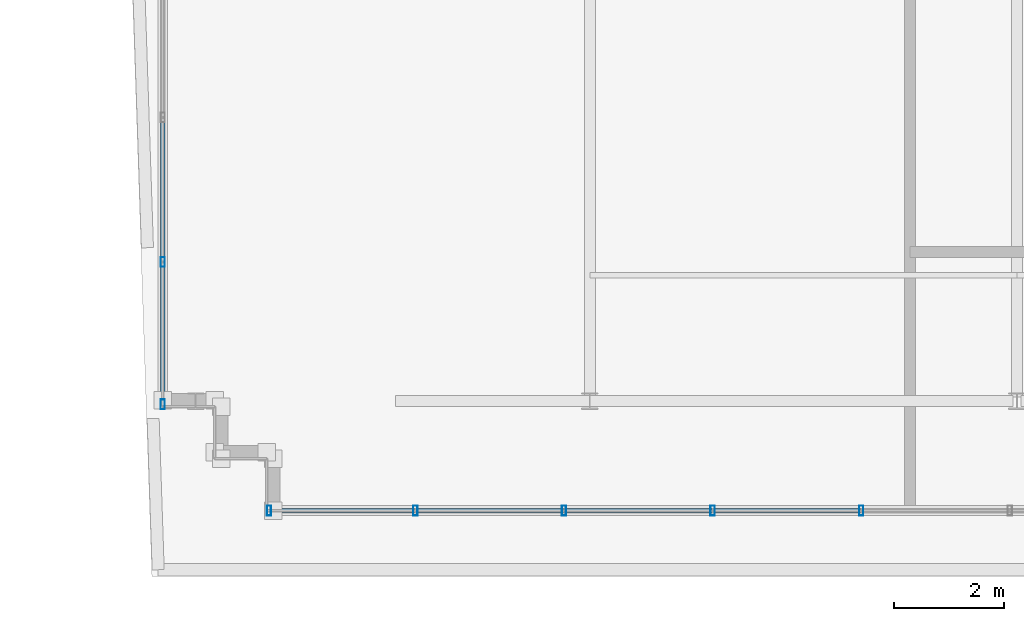
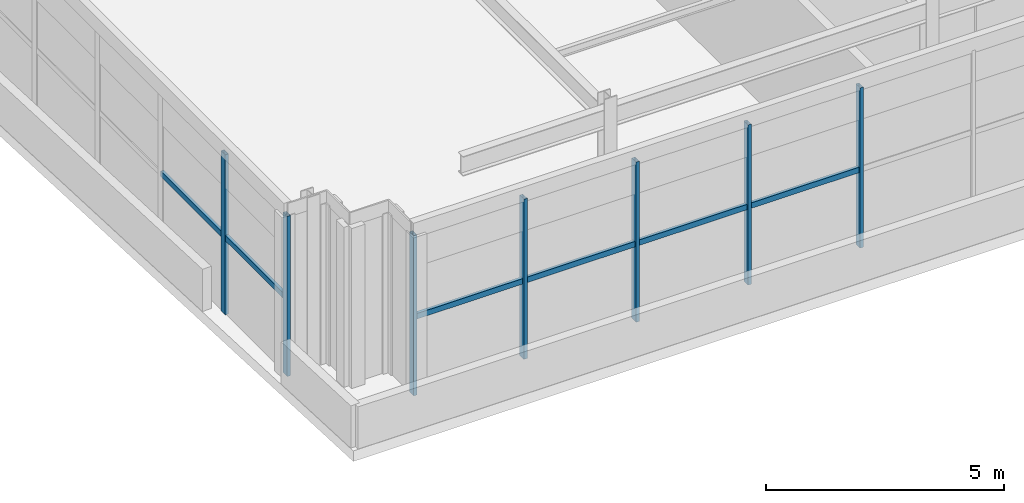
# One storey, part 13 of 31: 13 members, 2 elements without a shape of their own.
"""IFC4 building model written with IfcOpenShell, lengths in metres."""

from ifc_helpers import new_model, si_unit, direction, frame, origin, origin_2d, place, context, subcontext, project, spatial, hollow_rectangle, extrude, source, transform, mapped, material, material_profile, profile_set, type_object, element, aggregate, save


model = new_model("IFC4")

# Units and contexts
model_context = context("Model", 3, precision=1e-05, world=origin(), true_north=direction((0.0, 1.0)))
body_context = subcontext(model_context, "Body", "Model", "MODEL_VIEW")
ifc_project = project(units=[si_unit("LENGTHUNIT", "METRE"), si_unit("AREAUNIT", "SQUARE_METRE"), si_unit("VOLUMEUNIT", "CUBIC_METRE"), si_unit("PLANEANGLEUNIT", "RADIAN"), si_unit("MASSUNIT", "GRAM", prefix="KILO")], contexts=[model_context])

# Site, building, storey
site_placement = place(None, origin())
site = spatial("IfcSite", under=ifc_project, at=site_placement, CompositionType="ELEMENT")
building_placement = place(site_placement, origin())
building = spatial("IfcBuilding", under=site, at=building_placement, Name="Trelvane Seafront Commons", CompositionType="ELEMENT")
storey_placement = place(building_placement, frame((0.0, 0.0, 307.89990234375)))
storey = spatial("IfcBuildingStorey", under=building, at=storey_placement, Name="L80", CompositionType="ELEMENT", Elevation=307.89990234375)

# Curtain wall, members
ifc_material = material(Name="Anodised pale-silver aluminium", Category="aluminium")
curtain_wall_type = type_object("IfcCurtainWallType", Name="ARCH-CW6-CROWN", PredefinedType="NOTDEFINED", material=ifc_material)
curtain_wall_1_placement = place(storey_placement, origin())
curtain_wall_1 = element("IfcCurtainWall", 1, at=curtain_wall_1_placement, inside=storey, type_object=curtain_wall_type, Name="CW-L80-0140", PredefinedType="NOTDEFINED")
ifc_material_profile_1 = material_profile(ifc_material, hollow_rectangle(XDim=0.080078125, YDim=0.179931640625, WallThickness=0.00439453125, at=origin_2d()), Name="MULL-80x180x4.5")
ifc_profile_set_1 = profile_set([ifc_material_profile_1], Name="Anodised pale-silver aluminium")
member_type_1 = type_object("IfcMemberType", Name="ARCH-CW-MULL-180", PredefinedType="MULLION", material=ifc_profile_set_1)
shared_shape_1 = source(origin(), body_context, "Body", "SweptSolid", [
    extrude(hollow_rectangle(XDim=0.080078125, YDim=0.179931640625, WallThickness=0.00439453125, at=origin_2d()), origin(), (0.0, 0.0, 1.0), 4.10009765625),
])
member_1_placement = place(storey_placement, frame((43.199951171875, 18.139892578125, 0.0), z_axis=(0.0, 0.0, 1.0), x_axis=(1.0, 0.0, 0.0)))
member_1 = element("IfcMember", 2, at=member_1_placement, type_object=member_type_1, Name="CW-L80-0140-M00", PredefinedType="MULLION", context=body_context, shape_type="MappedRepresentation", body=[
    mapped(shared_shape_1, transform((0.0, 0.0, 0.0), x_axis=(1.0, 0.0, 0.0), y_axis=(0.0, 1.0, 0.0), z_axis=(0.0, 0.0, 1.0), scale=1.0)),
])
member_2_placement = place(storey_placement, frame((43.199951171875, 20.739990234375, 0.0), z_axis=(0.0, 0.0, 1.0), x_axis=(1.0, 0.0, 0.0)))
member_2 = element("IfcMember", 3, at=member_2_placement, type_object=member_type_1, Name="CW-L80-0140-M01", PredefinedType="MULLION", context=body_context, shape_type="MappedRepresentation", body=[
    mapped(shared_shape_1, transform((0.0, 0.0, 0.0), x_axis=(1.0, 0.0, 0.0), y_axis=(0.0, 1.0, 0.0), z_axis=(0.0, 0.0, 1.0), scale=1.0)),
])

curtain_wall_2_placement = place(storey_placement, origin())
curtain_wall_2 = element("IfcCurtainWall", 4, at=curtain_wall_2_placement, inside=storey, type_object=curtain_wall_type, Name="CW-L80-0143", PredefinedType="NOTDEFINED")
member_3_placement = place(storey_placement, frame((55.95703125, 16.199951171875, 0.0), z_axis=(0.0, 0.0, 1.0), x_axis=(1.0, 0.0, 0.0)))
member_3 = element("IfcMember", 5, at=member_3_placement, type_object=member_type_1, Name="CW-L80-0143-M03", PredefinedType="MULLION", context=body_context, shape_type="MappedRepresentation", body=[
    mapped(shared_shape_1, transform((0.0, 0.0, 0.0), x_axis=(1.0, 0.0, 0.0), y_axis=(0.0, 1.0, 0.0), z_axis=(0.0, 0.0, 1.0), scale=1.0)),
])
member_4_placement = place(storey_placement, frame((53.242919921875, 16.199951171875, 0.0), z_axis=(0.0, 0.0, 1.0), x_axis=(1.0, 0.0, 0.0)))
member_4 = element("IfcMember", 6, at=member_4_placement, type_object=member_type_1, Name="CW-L80-0143-M04", PredefinedType="MULLION", context=body_context, shape_type="MappedRepresentation", body=[
    mapped(shared_shape_1, transform((0.0, 0.0, 0.0), x_axis=(1.0, 0.0, 0.0), y_axis=(0.0, 1.0, 0.0), z_axis=(0.0, 0.0, 1.0), scale=1.0)),
])
member_5_placement = place(storey_placement, frame((50.528564453125, 16.199951171875, 0.0), z_axis=(0.0, 0.0, 1.0), x_axis=(1.0, 0.0, 0.0)))
member_5 = element("IfcMember", 7, at=member_5_placement, type_object=member_type_1, Name="CW-L80-0143-M05", PredefinedType="MULLION", context=body_context, shape_type="MappedRepresentation", body=[
    mapped(shared_shape_1, transform((0.0, 0.0, 0.0), x_axis=(1.0, 0.0, 0.0), y_axis=(0.0, 1.0, 0.0), z_axis=(0.0, 0.0, 1.0), scale=1.0)),
])
member_6_placement = place(storey_placement, frame((47.814208984375, 16.199951171875, 0.0), z_axis=(0.0, 0.0, 1.0), x_axis=(1.0, 0.0, 0.0)))
member_6 = element("IfcMember", 8, at=member_6_placement, type_object=member_type_1, Name="CW-L80-0143-M06", PredefinedType="MULLION", context=body_context, shape_type="MappedRepresentation", body=[
    mapped(shared_shape_1, transform((0.0, 0.0, 0.0), x_axis=(1.0, 0.0, 0.0), y_axis=(0.0, 1.0, 0.0), z_axis=(0.0, 0.0, 1.0), scale=1.0)),
])
member_7_placement = place(storey_placement, frame((45.139892578125, 16.199951171875, 0.0), z_axis=(0.0, 0.0, 1.0), x_axis=(1.0, 0.0, 0.0)))
member_7 = element("IfcMember", 9, at=member_7_placement, type_object=member_type_1, Name="CW-L80-0143-M07", PredefinedType="MULLION", context=body_context, shape_type="MappedRepresentation", body=[
    mapped(shared_shape_1, transform((0.0, 0.0, 0.0), x_axis=(1.0, 0.0, 0.0), y_axis=(0.0, 1.0, 0.0), z_axis=(0.0, 0.0, 1.0), scale=1.0)),
])

# Member
ifc_material_profile_2 = material_profile(ifc_material, hollow_rectangle(XDim=0.074951171875, YDim=0.139892578125, WallThickness=0.00390625, at=origin_2d()), Name="TRAN-75x140x4")
ifc_profile_set_2 = profile_set([ifc_material_profile_2], Name="Anodised pale-silver aluminium")
member_type_2 = type_object("IfcMemberType", Name="ARCH-CW-TRAN-140", PredefinedType="USERDEFINED", material=ifc_profile_set_2)
shared_shape_2 = source(origin(), body_context, "Body", "SweptSolid", [
    extrude(hollow_rectangle(XDim=0.074951171875, YDim=0.139892578125, WallThickness=0.00390625, at=origin_2d()), origin(), (0.0, 0.0, 1.0), 2.615966796875),
])
member_8_placement = place(storey_placement, frame((43.199951171875, 18.112060546875, 1.968017578125), z_axis=(0.0, 1.0, 0.0), x_axis=(-1.0, 0.0, 0.0)))
member_8 = element("IfcMember", 10, at=member_8_placement, type_object=member_type_2, Name="CW-L80-0140-T00", ObjectType="TRANSOM", PredefinedType="USERDEFINED", context=body_context, shape_type="MappedRepresentation", body=[
    mapped(shared_shape_2, transform((0.0, 0.0, 0.0), x_axis=(1.0, 0.0, 0.0), y_axis=(0.0, 1.0, 0.0), z_axis=(0.0, 0.0, 1.0), scale=1.0)),
])

member_9_placement = place(storey_placement, frame((43.199951171875, 20.751953125, 1.968017578125), z_axis=(0.0, 1.0, 0.0), x_axis=(-1.0, 0.0, 0.0)))
member_9 = element("IfcMember", 11, at=member_9_placement, type_object=member_type_2, Name="CW-L80-0140-T01", ObjectType="TRANSOM", PredefinedType="USERDEFINED", context=body_context, shape_type="MappedRepresentation", body=[
    mapped(shared_shape_2, transform((0.0, 0.0, 0.0), x_axis=(1.0, 0.0, 0.0), y_axis=(0.0, 1.0, 0.0), z_axis=(0.0, 0.0, 1.0), scale=1.0)),
])

aggregate(curtain_wall_1, [member_1, member_2, member_8, member_9])

shared_shape_3 = source(origin(), body_context, "Body", "SweptSolid", [
    extrude(hollow_rectangle(XDim=0.074951171875, YDim=0.139892578125, WallThickness=0.00390625, at=origin_2d()), origin(), (0.0, 0.0, 1.0), 2.690185546875),
])
member_10_placement = place(storey_placement, frame((55.945068359375, 16.199951171875, 1.968017578125), z_axis=(-1.0, 0.0, 0.0), x_axis=(0.0, -1.0, 0.0)))
member_10 = element("IfcMember", 12, at=member_10_placement, type_object=member_type_2, Name="CW-L80-0143-T03", ObjectType="TRANSOM", PredefinedType="USERDEFINED", context=body_context, shape_type="MappedRepresentation", body=[
    mapped(shared_shape_3, transform((0.0, 0.0, 0.0), x_axis=(1.0, 0.0, 0.0), y_axis=(0.0, 1.0, 0.0), z_axis=(0.0, 0.0, 1.0), scale=1.0)),
])

member_11_placement = place(storey_placement, frame((50.5166015625, 16.199951171875, 1.968017578125), z_axis=(-1.0, 0.0, 0.0), x_axis=(0.0, -1.0, 0.0)))
member_11 = element("IfcMember", 13, at=member_11_placement, type_object=member_type_2, Name="CW-L80-0143-T05", ObjectType="TRANSOM", PredefinedType="USERDEFINED", context=body_context, shape_type="MappedRepresentation", body=[
    mapped(shared_shape_3, transform((0.0, 0.0, 0.0), x_axis=(1.0, 0.0, 0.0), y_axis=(0.0, 1.0, 0.0), z_axis=(0.0, 0.0, 1.0), scale=1.0)),
])

member_12_placement = place(storey_placement, frame((47.80224609375, 16.199951171875, 1.968017578125), z_axis=(-1.0, 0.0, 0.0), x_axis=(0.0, -1.0, 0.0)))
member_12 = element("IfcMember", 14, at=member_12_placement, type_object=member_type_2, Name="CW-L80-0143-T06", ObjectType="TRANSOM", PredefinedType="USERDEFINED", context=body_context, shape_type="MappedRepresentation", body=[
    mapped(shared_shape_3, transform((0.0, 0.0, 0.0), x_axis=(1.0, 0.0, 0.0), y_axis=(0.0, 1.0, 0.0), z_axis=(0.0, 0.0, 1.0), scale=1.0)),
])

shared_shape_4 = source(origin(), body_context, "Body", "SweptSolid", [
    extrude(hollow_rectangle(XDim=0.074951171875, YDim=0.139892578125, WallThickness=0.00390625, at=origin_2d()), origin(), (0.0, 0.0, 1.0), 2.6904296875),
])
member_13_placement = place(storey_placement, frame((53.23095703125, 16.199951171875, 1.968017578125), z_axis=(-1.0, 0.0, 0.0), x_axis=(0.0, -1.0, 0.0)))
member_13 = element("IfcMember", 15, at=member_13_placement, type_object=member_type_2, Name="CW-L80-0143-T04", ObjectType="TRANSOM", PredefinedType="USERDEFINED", context=body_context, shape_type="MappedRepresentation", body=[
    mapped(shared_shape_4, transform((0.0, 0.0, 0.0), x_axis=(1.0, 0.0, 0.0), y_axis=(0.0, 1.0, 0.0), z_axis=(0.0, 0.0, 1.0), scale=1.0)),
])

aggregate(curtain_wall_2, [member_3, member_4, member_5, member_6, member_7, member_10, member_13, member_11, member_12])

save(model, "model.ifc")
